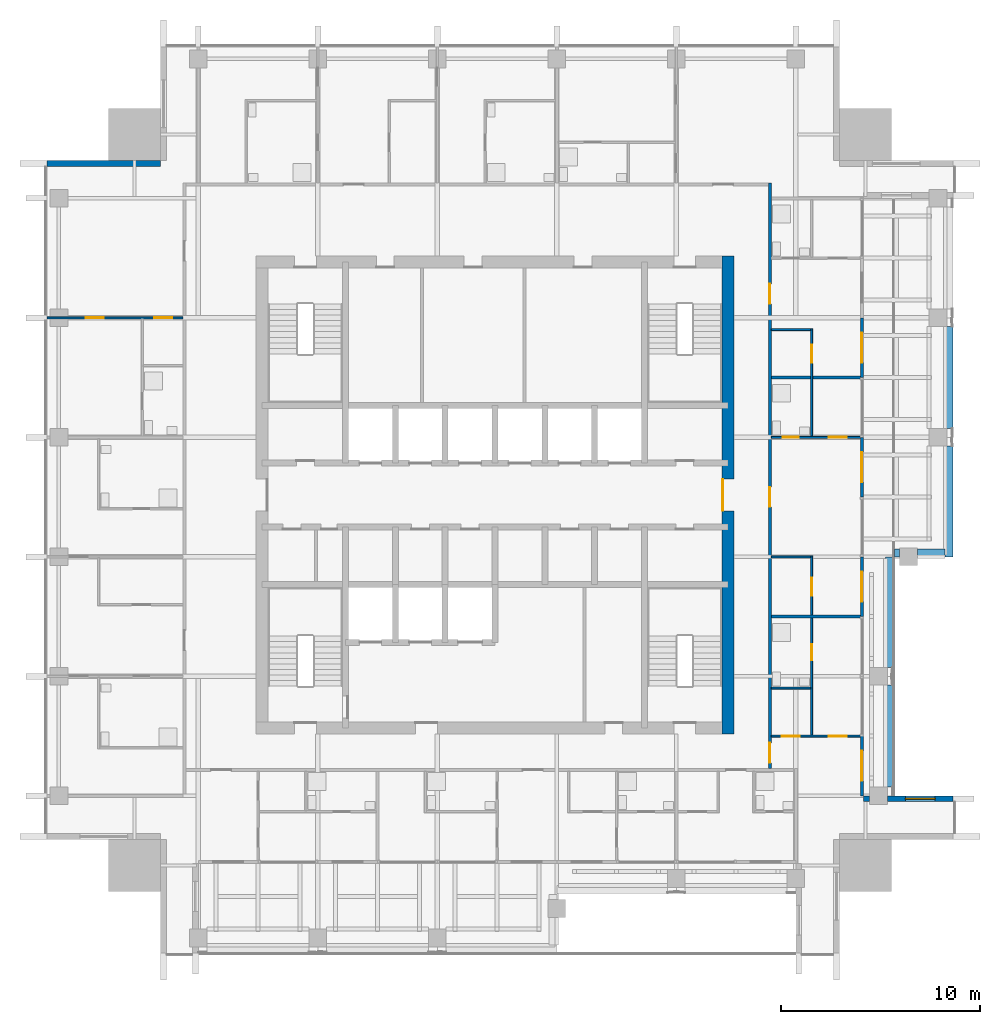
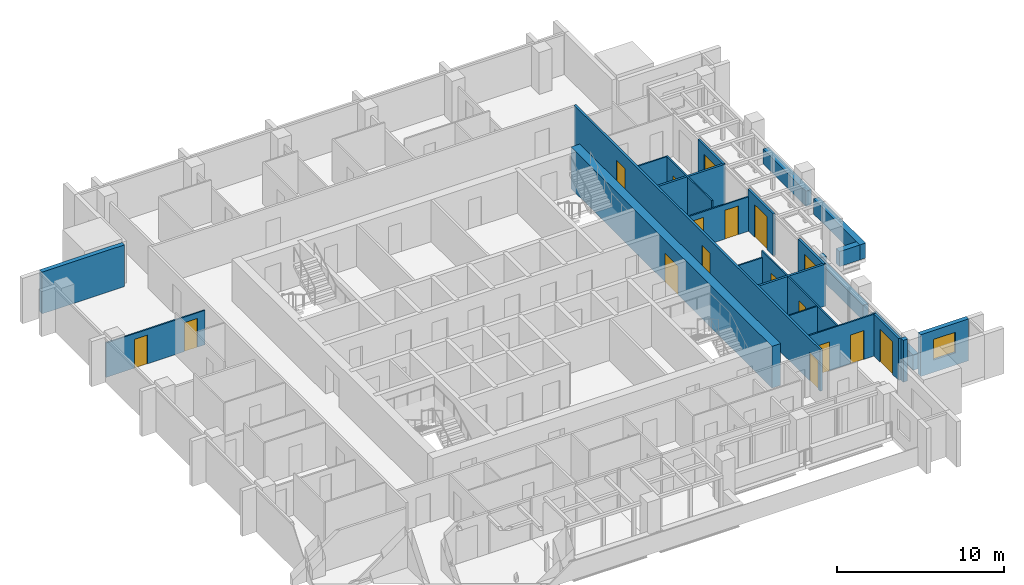
# One storey, part 11 of 17: 25 walls, 17 doors, 1 window, 18 openings.
"""IFC4 building model written with IfcOpenShell, lengths in metres."""

from ifc_helpers import new_model, si_unit, direction, frame, frame_2d, origin, place, context, subcontext, project, spatial, rectangle, extrude, material, layer, layer_set, type_object, element, fill, save


model = new_model("IFC4")

# Units and contexts
model_context = context("Model", 3, precision=1e-05, world=origin(), true_north=direction((0.0, 1.0)))
body_context = subcontext(model_context, "Body", "Model", "MODEL_VIEW")
ifc_project = project(units=[si_unit("LENGTHUNIT", "METRE"), si_unit("AREAUNIT", "SQUARE_METRE"), si_unit("VOLUMEUNIT", "CUBIC_METRE"), si_unit("PLANEANGLEUNIT", "RADIAN"), si_unit("MASSUNIT", "GRAM", prefix="KILO")], contexts=[model_context])

# Site, building, storey
site_placement = place(None, origin())
site = spatial("IfcSite", under=ifc_project, at=site_placement, CompositionType="ELEMENT")
building_placement = place(site_placement, origin())
building = spatial("IfcBuilding", under=site, at=building_placement, Name="Amberfall Residences", CompositionType="ELEMENT")
storey_placement = place(building_placement, frame((0.0, 0.0, 216.699951171875)))
storey = spatial("IfcBuildingStorey", under=building, at=storey_placement, Name="L58", CompositionType="ELEMENT", Elevation=216.699951171875)

# Wall, opening, window
ifc_material_1 = material(Name="Pale stone cladding on insulated backing", Category="masonry")
ifc_layer_1 = layer(ifc_material_1, 0.300048828125)
ifc_layer_set_1 = layer_set([ifc_layer_1], Name="Bronze clad wall 300")
wall_type_1 = type_object("IfcWallType", Name="Bronze clad wall 300", PredefinedType="SOLIDWALL", material=ifc_layer_set_1)
wall_1_placement = place(storey_placement, frame((97.5, 30.25, 0.0), z_axis=(0.0, 0.0, 1.0), x_axis=(-1.0, 0.0, 0.0)))
wall_1 = element("IfcWall", 1, at=wall_1_placement, inside=storey, type_object=wall_type_1, Name="External wall L58 E", PredefinedType="SOLIDWALL", context=body_context, shape_type="SweptSolid", body=[
    extrude(rectangle(XDim=3.300048828125, YDim=0.300048828125, at=frame_2d((1.64990234375, 0.0))), origin(), (0.0, 0.0, 1.0), 3.050048828125),
])
opening_1_placement = place(wall_1_placement, frame((0.89990234375, 0.0, 0.89990234375)))
opening_1 = element("IfcOpeningElement", 2, at=opening_1_placement, cuts=wall_1, Name="Opening WN1", PredefinedType="OPENING", context=body_context, shape_type="SweptSolid", body=[
    extrude(rectangle(XDim=1.5, YDim=1.5, at=frame_2d((0.75, 0.75))), frame((0.0, 0.159912109375, 0.0), z_axis=(0.0, -1.0, 0.0), x_axis=(1.0, 0.0, 0.0)), (0.0, 0.0, 1.0), 0.320068359375),
])
ifc_material_2 = material(Name="Bronze aluminium framed glazing", Category="aluminium")
window_type = type_object("IfcWindowType", Name="Window 1500 x 1500 bronze", PartitioningType="DOUBLE_PANEL_VERTICAL", PredefinedType="WINDOW", material=ifc_material_2)
window_placement = place(opening_1_placement, origin())
window = element("IfcWindow", 3, at=window_placement, inside=storey, type_object=window_type, Name="Window L58 E", OverallHeight=1.5, OverallWidth=1.5, PartitioningType="DOUBLE_PANEL_VERTICAL", PredefinedType="WINDOW", context=body_context, shape_type="SweptSolid", body=[
    extrude(rectangle(XDim=1.5, YDim=1.5, at=frame_2d((0.75, 0.75))), frame((0.0, 0.030029296875, 0.0), z_axis=(0.0, -1.0, 0.0), x_axis=(1.0, 0.0, 0.0)), (0.0, 0.0, 1.0), 0.06005859375),
])
fill(opening_1, window)

# Walls
wall_2_placement = place(storey_placement, frame((93.300048828125, 30.25, 0.0), z_axis=(0.0, 0.0, 1.0), x_axis=(-1.0, 0.0, 0.0)))
element("IfcWall", 4, at=wall_2_placement, inside=storey, type_object=wall_type_1, Name="External wall L58 E", PredefinedType="SOLIDWALL", context=body_context, shape_type="SweptSolid", body=[
    extrude(rectangle(XDim=0.300048828125, YDim=0.300048828125, at=frame_2d((0.14990234375, 0.0))), origin(), (0.0, 0.0, 1.0), 3.050048828125),
])
wall_3_placement = place(storey_placement, frame((57.699951171875, 62.14990234375, 0.0), z_axis=(0.0, 0.0, 1.0), x_axis=(-1.0, 0.0, 0.0)))
element("IfcWall", 5, at=wall_3_placement, inside=storey, type_object=wall_type_1, Name="External wall L58 NW", PredefinedType="SOLIDWALL", context=body_context, shape_type="SweptSolid", body=[
    extrude(rectangle(XDim=5.699951171875, YDim=0.300048828125, at=frame_2d((2.85009765625, 0.0))), origin(), (0.0, 0.0, 1.0), 3.050048828125),
])

# Wall, opening, door
ifc_material_3 = material(Name="Concrete C55", Category="concrete")
ifc_layer_2 = layer(ifc_material_3, 0.60009765625)
ifc_layer_set_2 = layer_set([ifc_layer_2], Name="Core wall 600 C55")
wall_type_2 = type_object("IfcWallType", Name="Core wall 600 C55", PredefinedType="SHEAR", material=ifc_layer_set_2)
wall_4_placement = place(storey_placement, frame((86.199951171875, 33.5, 0.0), z_axis=(0.0, 0.0, 1.0), x_axis=(0.0, 1.0, 0.0)))
wall_4 = element("IfcWall", 6, at=wall_4_placement, inside=storey, type_object=wall_type_2, Name="Core wall RW7 L58 OE", PredefinedType="SHEAR", context=body_context, shape_type="SweptSolid", body=[
    extrude(rectangle(XDim=24.0, YDim=0.60009765625, at=frame_2d((12.0, 0.0))), origin(), (0.0, 0.0, 1.0), 3.050048828125),
])
opening_2_placement = place(wall_4_placement, frame((11.199951171875, 0.0, 0.0)))
opening_2 = element("IfcOpeningElement", 7, at=opening_2_placement, cuts=wall_4, Name="Opening LB1", PredefinedType="OPENING", context=body_context, shape_type="SweptSolid", body=[
    extrude(rectangle(XDim=1.60009765625, YDim=2.10009765625, at=frame_2d((0.800048828125, 1.050048828125))), frame((0.0, 0.31005859375, 0.0), z_axis=(0.0, -1.0, 0.0), x_axis=(1.0, 0.0, 0.0)), (0.0, 0.0, 1.0), 0.6201171875),
])
ifc_material_4 = material(Name="Steel fire door set", Category="steel")
door_type_1 = type_object("IfcDoorType", Name="Lift lobby double door 1600 x 2100", OperationType="DOUBLE_DOOR_SINGLE_SWING", PredefinedType="DOOR", material=ifc_material_4)
door_1_placement = place(opening_2_placement, origin())
door_1 = element("IfcDoor", 8, at=door_1_placement, inside=storey, type_object=door_type_1, Name="LB1 L58", OperationType="DOUBLE_DOOR_SINGLE_SWING", OverallHeight=2.10009765625, OverallWidth=1.60009765625, PredefinedType="DOOR", context=body_context, shape_type="SweptSolid", body=[
    extrude(rectangle(XDim=1.60009765625, YDim=2.10009765625, at=frame_2d((0.800048828125, 1.050048828125))), frame((0.0, 0.28759765625, 0.0), z_axis=(0.0, -1.0, 0.0), x_axis=(1.0, 0.0, 0.0)), (0.0, 0.0, 1.0), 0.050048828125),
])
fill(opening_2, door_1)

# Wall, openings, doors
ifc_material_5 = material(Name="Gypsum board on metal stud")
ifc_layer_3 = layer(ifc_material_5, 0.10009765625)
ifc_layer_set_3 = layer_set([ifc_layer_3], Name="Flat partition 100")
wall_type_3 = type_object("IfcWallType", Name="Flat partition 100", PredefinedType="PARTITIONING", material=ifc_layer_set_3)
wall_5_placement = place(storey_placement, frame((90.39990234375, 33.449951171875, 0.0), z_axis=(0.0, 0.0, 1.0), x_axis=(0.0, 1.0, 0.0)))
wall_5 = element("IfcWall", 9, at=wall_5_placement, inside=storey, type_object=wall_type_3, Name="Partition 020", PredefinedType="PARTITIONING", context=body_context, shape_type="SweptSolid", body=[
    extrude(rectangle(XDim=9.0, YDim=0.10009765625, at=frame_2d((4.5, 0.0))), origin(), (0.0, 0.0, 1.0), 3.050048828125),
])
opening_3_placement = place(wall_5_placement, frame((3.75, 0.0, 0.0)))
opening_3 = element("IfcOpeningElement", 10, at=opening_3_placement, cuts=wall_5, Name="Opening D42", PredefinedType="OPENING", context=body_context, shape_type="SweptSolid", body=[
    extrude(rectangle(XDim=0.800048828125, YDim=2.10009765625, at=frame_2d((0.39990234375, 1.050048828125))), frame((0.0, 0.06005859375, 0.0), z_axis=(0.0, -1.0, 0.0), x_axis=(1.0, 0.0, 0.0)), (0.0, 0.0, 1.0), 0.1201171875),
])
opening_4_placement = place(wall_5_placement, frame((7.0, 0.0, 0.0)))
opening_4 = element("IfcOpeningElement", 11, at=opening_4_placement, cuts=wall_5, Name="Opening D41", PredefinedType="OPENING", context=body_context, shape_type="SweptSolid", body=[
    extrude(rectangle(XDim=0.89990234375, YDim=2.10009765625, at=frame_2d((0.449951171875, 1.050048828125))), frame((0.0, 0.06005859375, 0.0), z_axis=(0.0, -1.0, 0.0), x_axis=(1.0, 0.0, 0.0)), (0.0, 0.0, 1.0), 0.1201171875),
])
ifc_material_6 = material(Name="Timber", Category="wood")
door_type_2 = type_object("IfcDoorType", Name="Bathroom door 800 x 2100", OperationType="SINGLE_SWING_LEFT", PredefinedType="DOOR", material=ifc_material_6)
door_2_placement = place(opening_3_placement, origin())
door_2 = element("IfcDoor", 12, at=door_2_placement, inside=storey, type_object=door_type_2, Name="Door 5804 bath1", OperationType="SINGLE_SWING_LEFT", OverallHeight=2.10009765625, OverallWidth=0.800048828125, PredefinedType="DOOR", context=body_context, shape_type="SweptSolid", body=[
    extrude(rectangle(XDim=0.800048828125, YDim=2.10009765625, at=frame_2d((0.39990234375, 1.050048828125))), frame((0.0, 0.02490234375, 0.0), z_axis=(0.0, -1.0, 0.0), x_axis=(1.0, 0.0, 0.0)), (0.0, 0.0, 1.0), 0.050048828125),
])
fill(opening_3, door_2)
door_type_3 = type_object("IfcDoorType", Name="Internal door 900 x 2100", OperationType="SINGLE_SWING_LEFT", PredefinedType="DOOR", material=ifc_material_6)
door_3_placement = place(opening_4_placement, origin())
door_3 = element("IfcDoor", 13, at=door_3_placement, inside=storey, type_object=door_type_3, Name="Door 5805 kitchen", OperationType="SINGLE_SWING_LEFT", OverallHeight=2.10009765625, OverallWidth=0.89990234375, PredefinedType="DOOR", context=body_context, shape_type="SweptSolid", body=[
    extrude(rectangle(XDim=0.89990234375, YDim=2.10009765625, at=frame_2d((0.449951171875, 1.050048828125))), frame((0.0, 0.02490234375, 0.0), z_axis=(0.0, -1.0, 0.0), x_axis=(1.0, 0.0, 0.0)), (0.0, 0.0, 1.0), 0.050048828125),
])
fill(opening_4, door_3)

# Wall, opening, door
wall_6_placement = place(storey_placement, frame((90.39990234375, 48.449951171875, 0.0), z_axis=(0.0, 0.0, 1.0), x_axis=(0.0, 1.0, 0.0)))
wall_6 = element("IfcWall", 14, at=wall_6_placement, inside=storey, type_object=wall_type_3, Name="Partition 021", PredefinedType="PARTITIONING", context=body_context, shape_type="SweptSolid", body=[
    extrude(rectangle(XDim=5.400146484375, YDim=0.10009765625, at=frame_2d((2.7001953125, 0.0))), origin(), (0.0, 0.0, 1.0), 3.050048828125),
])
opening_5_placement = place(wall_6_placement, frame((3.699951171875, 0.0, 0.0)))
opening_5 = element("IfcOpeningElement", 15, at=opening_5_placement, cuts=wall_6, Name="Opening D41", PredefinedType="OPENING", context=body_context, shape_type="SweptSolid", body=[
    extrude(rectangle(XDim=0.89990234375, YDim=2.10009765625, at=frame_2d((0.449951171875, 1.050048828125))), frame((0.0, 0.06005859375, 0.0), z_axis=(0.0, -1.0, 0.0), x_axis=(1.0, 0.0, 0.0)), (0.0, 0.0, 1.0), 0.1201171875),
])
door_4_placement = place(opening_5_placement, origin())
door_4 = element("IfcDoor", 16, at=door_4_placement, inside=storey, type_object=door_type_3, Name="Door 5806 kitchen", OperationType="SINGLE_SWING_LEFT", OverallHeight=2.10009765625, OverallWidth=0.89990234375, PredefinedType="DOOR", context=body_context, shape_type="SweptSolid", body=[
    extrude(rectangle(XDim=0.89990234375, YDim=2.10009765625, at=frame_2d((0.449951171875, 1.050048828125))), frame((0.0, 0.02490234375, 0.0), z_axis=(0.0, -1.0, 0.0), x_axis=(1.0, 0.0, 0.0)), (0.0, 0.0, 1.0), 0.050048828125),
])
fill(opening_5, door_4)

# Wall, openings, doors
wall_7_placement = place(storey_placement, frame((58.824951171875, 54.39990234375, 0.0), z_axis=(0.0, 0.0, 1.0), x_axis=(-1.0, 0.0, 0.0)))
wall_7 = element("IfcWall", 17, at=wall_7_placement, inside=storey, type_object=wall_type_3, Name="Partition 028", PredefinedType="PARTITIONING", context=body_context, shape_type="SweptSolid", body=[
    extrude(rectangle(XDim=6.824951171875, YDim=0.10009765625, at=frame_2d((3.41259765625, 0.0))), origin(), (0.0, 0.0, 1.0), 2.51611328125),
])
opening_6_placement = place(wall_7_placement, frame((0.52490234375, 0.0, 0.0)))
opening_6 = element("IfcOpeningElement", 18, at=opening_6_placement, cuts=wall_7, Name="Opening D41", PredefinedType="OPENING", context=body_context, shape_type="SweptSolid", body=[
    extrude(rectangle(XDim=0.89990234375, YDim=2.10009765625, at=frame_2d((0.449951171875, 1.050048828125))), frame((0.0, 0.06005859375, 0.0), z_axis=(0.0, -1.0, 0.0), x_axis=(1.0, 0.0, 0.0)), (0.0, 0.0, 1.0), 0.1201171875),
])
opening_7_placement = place(wall_7_placement, frame((3.97509765625, 0.0, 0.0)))
opening_7 = element("IfcOpeningElement", 19, at=opening_7_placement, cuts=wall_7, Name="Opening D41", PredefinedType="OPENING", context=body_context, shape_type="SweptSolid", body=[
    extrude(rectangle(XDim=0.89990234375, YDim=2.10009765625, at=frame_2d((0.449951171875, 1.050048828125))), frame((0.0, 0.06005859375, 0.0), z_axis=(0.0, -1.0, 0.0), x_axis=(1.0, 0.0, 0.0)), (0.0, 0.0, 1.0), 0.1201171875),
])
door_5_placement = place(opening_6_placement, origin())
door_5 = element("IfcDoor", 20, at=door_5_placement, inside=storey, type_object=door_type_3, Name="Door 5810 kitchen", OperationType="SINGLE_SWING_LEFT", OverallHeight=2.10009765625, OverallWidth=0.89990234375, PredefinedType="DOOR", context=body_context, shape_type="SweptSolid", body=[
    extrude(rectangle(XDim=0.89990234375, YDim=2.10009765625, at=frame_2d((0.449951171875, 1.050048828125))), frame((0.0, 0.02490234375, 0.0), z_axis=(0.0, -1.0, 0.0), x_axis=(1.0, 0.0, 0.0)), (0.0, 0.0, 1.0), 0.050048828125),
])
fill(opening_6, door_5)
door_6_placement = place(opening_7_placement, origin())
door_6 = element("IfcDoor", 21, at=door_6_placement, inside=storey, type_object=door_type_3, Name="Door 5810 bedroom1", OperationType="SINGLE_SWING_LEFT", OverallHeight=2.10009765625, OverallWidth=0.89990234375, PredefinedType="DOOR", context=body_context, shape_type="SweptSolid", body=[
    extrude(rectangle(XDim=0.89990234375, YDim=2.10009765625, at=frame_2d((0.449951171875, 1.050048828125))), frame((0.0, 0.02490234375, 0.0), z_axis=(0.0, -1.0, 0.0), x_axis=(1.0, 0.0, 0.0)), (0.0, 0.0, 1.0), 0.050048828125),
])
fill(opening_7, door_6)

# Wall
wall_8_placement = place(storey_placement, frame((88.375, 53.800048828125, 0.0), z_axis=(0.0, 0.0, 1.0), x_axis=(1.0, 0.0, 0.0)))
element("IfcWall", 22, at=wall_8_placement, inside=storey, type_object=wall_type_3, Name="Partition 029", PredefinedType="PARTITIONING", context=body_context, shape_type="SweptSolid", body=[
    extrude(rectangle(XDim=1.97509765625, YDim=0.10009765625, at=frame_2d((0.987548828125, 0.0))), origin(), (0.0, 0.0, 1.0), 3.050048828125),
])

# Wall, openings, doors
wall_9_placement = place(storey_placement, frame((88.375, 48.39990234375, 0.0), z_axis=(0.0, 0.0, 1.0), x_axis=(1.0, 0.0, 0.0)))
wall_9 = element("IfcWall", 23, at=wall_9_placement, inside=storey, type_object=wall_type_3, Name="Partition 031", PredefinedType="PARTITIONING", context=body_context, shape_type="SweptSolid", body=[
    extrude(rectangle(XDim=4.625, YDim=0.10009765625, at=frame_2d((2.3125, 0.0))), origin(), (0.0, 0.0, 1.0), 2.51611328125),
])
opening_8_placement = place(wall_9_placement, frame((2.875, 0.0, 0.0)))
opening_8 = element("IfcOpeningElement", 24, at=opening_8_placement, cuts=wall_9, Name="Opening D41", PredefinedType="OPENING", context=body_context, shape_type="SweptSolid", body=[
    extrude(rectangle(XDim=0.89990234375, YDim=2.10009765625, at=frame_2d((0.449951171875, 1.050048828125))), frame((0.0, 0.06005859375, 0.0), z_axis=(0.0, -1.0, 0.0), x_axis=(1.0, 0.0, 0.0)), (0.0, 0.0, 1.0), 0.1201171875),
])
opening_9_placement = place(wall_9_placement, frame((0.574951171875, 0.0, 0.0)))
opening_9 = element("IfcOpeningElement", 25, at=opening_9_placement, cuts=wall_9, Name="Opening D42", PredefinedType="OPENING", context=body_context, shape_type="SweptSolid", body=[
    extrude(rectangle(XDim=0.800048828125, YDim=2.10009765625, at=frame_2d((0.39990234375, 1.050048828125))), frame((0.0, 0.06005859375, 0.0), z_axis=(0.0, -1.0, 0.0), x_axis=(1.0, 0.0, 0.0)), (0.0, 0.0, 1.0), 0.1201171875),
])
door_7_placement = place(opening_9_placement, origin())
door_7 = element("IfcDoor", 26, at=door_7_placement, inside=storey, type_object=door_type_2, Name="Door 5805 bath1", OperationType="SINGLE_SWING_LEFT", OverallHeight=2.10009765625, OverallWidth=0.800048828125, PredefinedType="DOOR", context=body_context, shape_type="SweptSolid", body=[
    extrude(rectangle(XDim=0.800048828125, YDim=2.10009765625, at=frame_2d((0.39990234375, 1.050048828125))), frame((0.0, 0.02490234375, 0.0), z_axis=(0.0, -1.0, 0.0), x_axis=(1.0, 0.0, 0.0)), (0.0, 0.0, 1.0), 0.050048828125),
])
fill(opening_9, door_7)
door_8_placement = place(opening_8_placement, origin())
door_8 = element("IfcDoor", 27, at=door_8_placement, inside=storey, type_object=door_type_3, Name="Door 5805 bedroom1", OperationType="SINGLE_SWING_LEFT", OverallHeight=2.10009765625, OverallWidth=0.89990234375, PredefinedType="DOOR", context=body_context, shape_type="SweptSolid", body=[
    extrude(rectangle(XDim=0.89990234375, YDim=2.10009765625, at=frame_2d((0.449951171875, 1.050048828125))), frame((0.0, 0.02490234375, 0.0), z_axis=(0.0, -1.0, 0.0), x_axis=(1.0, 0.0, 0.0)), (0.0, 0.0, 1.0), 0.050048828125),
])
fill(opening_8, door_8)

# Walls
wall_10_placement = place(storey_placement, frame((88.375, 42.39990234375, 0.0), z_axis=(0.0, 0.0, 1.0), x_axis=(1.0, 0.0, 0.0)))
element("IfcWall", 28, at=wall_10_placement, inside=storey, type_object=wall_type_3, Name="Partition 034", PredefinedType="PARTITIONING", context=body_context, shape_type="SweptSolid", body=[
    extrude(rectangle(XDim=1.97509765625, YDim=0.10009765625, at=frame_2d((0.987548828125, 0.0))), origin(), (0.0, 0.0, 1.0), 2.590087890625),
])
wall_11_placement = place(storey_placement, frame((88.375, 35.800048828125, 0.0), z_axis=(0.0, 0.0, 1.0), x_axis=(1.0, 0.0, 0.0)))
element("IfcWall", 29, at=wall_11_placement, inside=storey, type_object=wall_type_3, Name="Partition 037", PredefinedType="PARTITIONING", context=body_context, shape_type="SweptSolid", body=[
    extrude(rectangle(XDim=1.97509765625, YDim=0.10009765625, at=frame_2d((0.987548828125, 0.0))), origin(), (0.0, 0.0, 1.0), 3.050048828125),
])

# Wall, openings, doors
wall_12_placement = place(storey_placement, frame((88.375, 33.39990234375, 0.0), z_axis=(0.0, 0.0, 1.0), x_axis=(1.0, 0.0, 0.0)))
wall_12 = element("IfcWall", 30, at=wall_12_placement, inside=storey, type_object=wall_type_3, Name="Partition 038", PredefinedType="PARTITIONING", context=body_context, shape_type="SweptSolid", body=[
    extrude(rectangle(XDim=4.625, YDim=0.10009765625, at=frame_2d((2.3125, 0.0))), origin(), (0.0, 0.0, 1.0), 3.050048828125),
])
opening_10_placement = place(wall_12_placement, frame((0.52490234375, 0.0, 0.0)))
opening_10 = element("IfcOpeningElement", 31, at=opening_10_placement, cuts=wall_12, Name="Opening D41", PredefinedType="OPENING", context=body_context, shape_type="SweptSolid", body=[
    extrude(rectangle(XDim=0.89990234375, YDim=2.10009765625, at=frame_2d((0.449951171875, 1.050048828125))), frame((0.0, 0.06005859375, 0.0), z_axis=(0.0, -1.0, 0.0), x_axis=(1.0, 0.0, 0.0)), (0.0, 0.0, 1.0), 0.1201171875),
])
opening_11_placement = place(wall_12_placement, frame((2.875, 0.0, 0.0)))
opening_11 = element("IfcOpeningElement", 32, at=opening_11_placement, cuts=wall_12, Name="Opening D41", PredefinedType="OPENING", context=body_context, shape_type="SweptSolid", body=[
    extrude(rectangle(XDim=0.89990234375, YDim=2.10009765625, at=frame_2d((0.449951171875, 1.050048828125))), frame((0.0, 0.06005859375, 0.0), z_axis=(0.0, -1.0, 0.0), x_axis=(1.0, 0.0, 0.0)), (0.0, 0.0, 1.0), 0.1201171875),
])
door_9_placement = place(opening_10_placement, origin())
door_9 = element("IfcDoor", 33, at=door_9_placement, inside=storey, type_object=door_type_3, Name="Door 5804 kitchen", OperationType="SINGLE_SWING_LEFT", OverallHeight=2.10009765625, OverallWidth=0.89990234375, PredefinedType="DOOR", context=body_context, shape_type="SweptSolid", body=[
    extrude(rectangle(XDim=0.89990234375, YDim=2.10009765625, at=frame_2d((0.449951171875, 1.050048828125))), frame((0.0, 0.02490234375, 0.0), z_axis=(0.0, -1.0, 0.0), x_axis=(1.0, 0.0, 0.0)), (0.0, 0.0, 1.0), 0.050048828125),
])
fill(opening_10, door_9)
door_10_placement = place(opening_11_placement, origin())
door_10 = element("IfcDoor", 34, at=door_10_placement, inside=storey, type_object=door_type_3, Name="Door 5804 bedroom1", OperationType="SINGLE_SWING_LEFT", OverallHeight=2.10009765625, OverallWidth=0.89990234375, PredefinedType="DOOR", context=body_context, shape_type="SweptSolid", body=[
    extrude(rectangle(XDim=0.89990234375, YDim=2.10009765625, at=frame_2d((0.449951171875, 1.050048828125))), frame((0.0, 0.02490234375, 0.0), z_axis=(0.0, -1.0, 0.0), x_axis=(1.0, 0.0, 0.0)), (0.0, 0.0, 1.0), 0.050048828125),
])
fill(opening_11, door_10)

ifc_material_7 = material(Name="Blockwork, plastered", Category="masonry")
ifc_layer_4 = layer(ifc_material_7, 0.14990234375)
ifc_layer_set_4 = layer_set([ifc_layer_4], Name="Flat separating wall 150")
wall_type_4 = type_object("IfcWallType", Name="Flat separating wall 150", PredefinedType="PARTITIONING", material=ifc_layer_set_4)
wall_13_placement = place(storey_placement, frame((88.300048828125, 61.175048828125, 0.0), z_axis=(0.0, 0.0, 1.0), x_axis=(0.0, -1.0, 0.0)))
wall_13 = element("IfcWall", 35, at=wall_13_placement, inside=storey, type_object=wall_type_4, Name="Separating wall 049", PredefinedType="PARTITIONING", context=body_context, shape_type="SweptSolid", body=[
    extrude(rectangle(XDim=29.400146484375, YDim=0.14990234375, at=frame_2d((14.7001953125, 0.0))), origin(), (0.0, 0.0, 1.0), 3.050048828125),
])
opening_12_placement = place(wall_13_placement, frame((28.125, 0.0, 0.0)))
opening_12 = element("IfcOpeningElement", 36, at=opening_12_placement, cuts=wall_13, Name="Opening D40", PredefinedType="OPENING", context=body_context, shape_type="SweptSolid", body=[
    extrude(rectangle(XDim=1.0, YDim=2.10009765625, at=frame_2d((0.5, 1.050048828125))), frame((0.0, 0.0849609375, 0.0), z_axis=(0.0, -1.0, 0.0), x_axis=(1.0, 0.0, 0.0)), (0.0, 0.0, 1.0), 0.169921875),
])
opening_13_placement = place(wall_13_placement, frame((15.27490234375, 0.0, 0.0)))
opening_13 = element("IfcOpeningElement", 37, at=opening_13_placement, cuts=wall_13, Name="Opening D40", PredefinedType="OPENING", context=body_context, shape_type="SweptSolid", body=[
    extrude(rectangle(XDim=1.0, YDim=2.10009765625, at=frame_2d((0.5, 1.050048828125))), frame((0.0, 0.0849609375, 0.0), z_axis=(0.0, -1.0, 0.0), x_axis=(1.0, 0.0, 0.0)), (0.0, 0.0, 1.0), 0.169921875),
])
opening_14_placement = place(wall_13_placement, frame((5.074951171875, 0.0, 0.0)))
opening_14 = element("IfcOpeningElement", 38, at=opening_14_placement, cuts=wall_13, Name="Opening D40", PredefinedType="OPENING", context=body_context, shape_type="SweptSolid", body=[
    extrude(rectangle(XDim=1.0, YDim=2.10009765625, at=frame_2d((0.5, 1.050048828125))), frame((0.0, 0.0849609375, 0.0), z_axis=(0.0, -1.0, 0.0), x_axis=(1.0, 0.0, 0.0)), (0.0, 0.0, 1.0), 0.169921875),
])
ifc_material_8 = material(Name="Timber, fire-rated", Category="wood")
door_type_4 = type_object("IfcDoorType", Name="Flat entrance door FD60 1000 x 2100", OperationType="SINGLE_SWING_LEFT", PredefinedType="DOOR", material=ifc_material_8)
door_11_placement = place(opening_12_placement, origin())
door_11 = element("IfcDoor", 39, at=door_11_placement, inside=storey, type_object=door_type_4, Name="Door 5804 entrance", OperationType="SINGLE_SWING_LEFT", OverallHeight=2.10009765625, OverallWidth=1.0, PredefinedType="DOOR", context=body_context, shape_type="SweptSolid", body=[
    extrude(rectangle(XDim=1.0, YDim=2.10009765625, at=frame_2d((0.5, 1.050048828125))), frame((0.0, 0.02490234375, 0.0), z_axis=(0.0, -1.0, 0.0), x_axis=(1.0, 0.0, 0.0)), (0.0, 0.0, 1.0), 0.050048828125),
])
fill(opening_12, door_11)
door_12_placement = place(opening_13_placement, origin())
door_12 = element("IfcDoor", 40, at=door_12_placement, inside=storey, type_object=door_type_4, Name="Door 5805 entrance", OperationType="SINGLE_SWING_LEFT", OverallHeight=2.10009765625, OverallWidth=1.0, PredefinedType="DOOR", context=body_context, shape_type="SweptSolid", body=[
    extrude(rectangle(XDim=1.0, YDim=2.10009765625, at=frame_2d((0.5, 1.050048828125))), frame((0.0, 0.02490234375, 0.0), z_axis=(0.0, -1.0, 0.0), x_axis=(1.0, 0.0, 0.0)), (0.0, 0.0, 1.0), 0.050048828125),
])
fill(opening_13, door_12)
door_13_placement = place(opening_14_placement, origin())
door_13 = element("IfcDoor", 41, at=door_13_placement, inside=storey, type_object=door_type_4, Name="Door 5806 entrance", OperationType="SINGLE_SWING_LEFT", OverallHeight=2.10009765625, OverallWidth=1.0, PredefinedType="DOOR", context=body_context, shape_type="SweptSolid", body=[
    extrude(rectangle(XDim=1.0, YDim=2.10009765625, at=frame_2d((0.5, 1.050048828125))), frame((0.0, 0.02490234375, 0.0), z_axis=(0.0, -1.0, 0.0), x_axis=(1.0, 0.0, 0.0)), (0.0, 0.0, 1.0), 0.050048828125),
])
fill(opening_14, door_13)

# Walls
for number, where, z_axis, x_axis, name in (
    (42, (88.375, 51.39990234375, 0.0), (0.0, 0.0, 1.0), (1.0, 0.0, 0.0), "Separating wall 053"),
    (43, (88.375, 39.39990234375, 0.0), (0.0, 0.0, 1.0), (1.0, 0.0, 0.0), "Separating wall 055"),
):
    element("IfcWall", number, at=place(storey_placement, frame(where, z_axis=z_axis, x_axis=x_axis)), inside=storey, type_object=wall_type_4, Name=name, PredefinedType="PARTITIONING", context=body_context, shape_type="SweptSolid", body=[
        extrude(rectangle(XDim=4.625, YDim=0.14990234375, at=frame_2d((2.3125, 0.0))), origin(), (0.0, 0.0, 1.0), 3.050048828125),
    ])

# Wall, opening, door
ifc_layer_5 = layer(ifc_material_1, 0.14990234375)
ifc_layer_set_5 = layer_set([ifc_layer_5], Name="Terrace door infill wall 150")
wall_type_5 = type_object("IfcWallType", Name="Terrace door infill wall 150", PredefinedType="SOLIDWALL", material=ifc_layer_set_5)
wall_14_placement = place(storey_placement, frame((92.925048828125, 30.39990234375, 0.0), z_axis=(0.0, 0.0, 1.0), x_axis=(0.0, 1.0, 0.0)))
wall_14 = element("IfcWall", 44, at=wall_14_placement, inside=storey, type_object=wall_type_5, Name="Terrace door wall L58 E1", PredefinedType="SOLIDWALL", context=body_context, shape_type="SweptSolid", body=[
    extrude(rectangle(XDim=3.0, YDim=0.14990234375, at=frame_2d((1.5, 0.0))), origin(), (0.0, 0.0, 1.0), 3.050048828125),
])
opening_15_placement = place(wall_14_placement, frame((0.75, 0.0, 0.0)))
opening_15 = element("IfcOpeningElement", 45, at=opening_15_placement, cuts=wall_14, Name="Opening TD2", PredefinedType="OPENING", context=body_context, shape_type="SweptSolid", body=[
    extrude(rectangle(XDim=1.5, YDim=2.39990234375, at=frame_2d((0.75, 1.199951171875))), frame((0.0, 0.0849609375, 0.0), z_axis=(0.0, -1.0, 0.0), x_axis=(1.0, 0.0, 0.0)), (0.0, 0.0, 1.0), 0.169921875),
])
ifc_material_9 = material(Name="Bronze aluminium framed glazed door", Category="aluminium")
door_type_5 = type_object("IfcDoorType", Name="Terrace sliding door 1500 x 2400", OperationType="DOUBLE_DOOR_SLIDING", PredefinedType="DOOR", material=ifc_material_9)
door_14_placement = place(opening_15_placement, origin())
door_14 = element("IfcDoor", 46, at=door_14_placement, inside=storey, type_object=door_type_5, Name="Terrace door TD2", OperationType="DOUBLE_DOOR_SLIDING", OverallHeight=2.39990234375, OverallWidth=1.5, PredefinedType="DOOR", context=body_context, shape_type="SweptSolid", body=[
    extrude(rectangle(XDim=1.5, YDim=2.39990234375, at=frame_2d((0.75, 1.199951171875))), frame((0.0, 0.02490234375, 0.0), z_axis=(0.0, -1.0, 0.0), x_axis=(1.0, 0.0, 0.0)), (0.0, 0.0, 1.0), 0.050048828125),
])
fill(opening_15, door_14)

wall_15_placement = place(storey_placement, frame((92.925048828125, 39.39990234375, 0.0), z_axis=(0.0, 0.0, 1.0), x_axis=(0.0, 1.0, 0.0)))
wall_15 = element("IfcWall", 47, at=wall_15_placement, inside=storey, type_object=wall_type_5, Name="Terrace door wall L58 E2", PredefinedType="SOLIDWALL", context=body_context, shape_type="SweptSolid", body=[
    extrude(rectangle(XDim=3.0, YDim=0.14990234375, at=frame_2d((1.5, 0.0))), origin(), (0.0, 0.0, 1.0), 3.050048828125),
])
opening_16_placement = place(wall_15_placement, frame((0.75, 0.0, 0.0)))
opening_16 = element("IfcOpeningElement", 48, at=opening_16_placement, cuts=wall_15, Name="Opening TD2", PredefinedType="OPENING", context=body_context, shape_type="SweptSolid", body=[
    extrude(rectangle(XDim=1.5, YDim=2.39990234375, at=frame_2d((0.75, 1.199951171875))), frame((0.0, 0.0849609375, 0.0), z_axis=(0.0, -1.0, 0.0), x_axis=(1.0, 0.0, 0.0)), (0.0, 0.0, 1.0), 0.169921875),
])
door_15_placement = place(opening_16_placement, origin())
door_15 = element("IfcDoor", 49, at=door_15_placement, inside=storey, type_object=door_type_5, Name="Terrace door TD2", OperationType="DOUBLE_DOOR_SLIDING", OverallHeight=2.39990234375, OverallWidth=1.5, PredefinedType="DOOR", context=body_context, shape_type="SweptSolid", body=[
    extrude(rectangle(XDim=1.5, YDim=2.39990234375, at=frame_2d((0.75, 1.199951171875))), frame((0.0, 0.02490234375, 0.0), z_axis=(0.0, -1.0, 0.0), x_axis=(1.0, 0.0, 0.0)), (0.0, 0.0, 1.0), 0.050048828125),
])
fill(opening_16, door_15)

wall_16_placement = place(storey_placement, frame((92.925048828125, 45.39990234375, 0.0), z_axis=(0.0, 0.0, 1.0), x_axis=(0.0, 1.0, 0.0)))
wall_16 = element("IfcWall", 50, at=wall_16_placement, inside=storey, type_object=wall_type_5, Name="Terrace door wall L58 E3", PredefinedType="SOLIDWALL", context=body_context, shape_type="SweptSolid", body=[
    extrude(rectangle(XDim=3.0, YDim=0.14990234375, at=frame_2d((1.5, 0.0))), origin(), (0.0, 0.0, 1.0), 3.050048828125),
])
opening_17_placement = place(wall_16_placement, frame((0.75, 0.0, 0.0)))
opening_17 = element("IfcOpeningElement", 51, at=opening_17_placement, cuts=wall_16, Name="Opening TD2", PredefinedType="OPENING", context=body_context, shape_type="SweptSolid", body=[
    extrude(rectangle(XDim=1.5, YDim=2.39990234375, at=frame_2d((0.75, 1.199951171875))), frame((0.0, 0.0849609375, 0.0), z_axis=(0.0, -1.0, 0.0), x_axis=(1.0, 0.0, 0.0)), (0.0, 0.0, 1.0), 0.169921875),
])
door_16_placement = place(opening_17_placement, origin())
door_16 = element("IfcDoor", 52, at=door_16_placement, inside=storey, type_object=door_type_5, Name="Terrace door TD2", OperationType="DOUBLE_DOOR_SLIDING", OverallHeight=2.39990234375, OverallWidth=1.5, PredefinedType="DOOR", context=body_context, shape_type="SweptSolid", body=[
    extrude(rectangle(XDim=1.5, YDim=2.39990234375, at=frame_2d((0.75, 1.199951171875))), frame((0.0, 0.02490234375, 0.0), z_axis=(0.0, -1.0, 0.0), x_axis=(1.0, 0.0, 0.0)), (0.0, 0.0, 1.0), 0.050048828125),
])
fill(opening_17, door_16)

wall_17_placement = place(storey_placement, frame((92.925048828125, 51.39990234375, 0.0), z_axis=(0.0, 0.0, 1.0), x_axis=(0.0, 1.0, 0.0)))
wall_17 = element("IfcWall", 53, at=wall_17_placement, inside=storey, type_object=wall_type_5, Name="Terrace door wall L58 E4", PredefinedType="SOLIDWALL", context=body_context, shape_type="SweptSolid", body=[
    extrude(rectangle(XDim=3.0, YDim=0.14990234375, at=frame_2d((1.5, 0.0))), origin(), (0.0, 0.0, 1.0), 3.050048828125),
])
opening_18_placement = place(wall_17_placement, frame((0.75, 0.0, 0.0)))
opening_18 = element("IfcOpeningElement", 54, at=opening_18_placement, cuts=wall_17, Name="Opening TD2", PredefinedType="OPENING", context=body_context, shape_type="SweptSolid", body=[
    extrude(rectangle(XDim=1.5, YDim=2.39990234375, at=frame_2d((0.75, 1.199951171875))), frame((0.0, 0.0849609375, 0.0), z_axis=(0.0, -1.0, 0.0), x_axis=(1.0, 0.0, 0.0)), (0.0, 0.0, 1.0), 0.169921875),
])
door_17_placement = place(opening_18_placement, origin())
door_17 = element("IfcDoor", 55, at=door_17_placement, inside=storey, type_object=door_type_5, Name="Terrace door TD2", OperationType="DOUBLE_DOOR_SLIDING", OverallHeight=2.39990234375, OverallWidth=1.5, PredefinedType="DOOR", context=body_context, shape_type="SweptSolid", body=[
    extrude(rectangle(XDim=1.5, YDim=2.39990234375, at=frame_2d((0.75, 1.199951171875))), frame((0.0, 0.02490234375, 0.0), z_axis=(0.0, -1.0, 0.0), x_axis=(1.0, 0.0, 0.0)), (0.0, 0.0, 1.0), 0.050048828125),
])
fill(opening_18, door_17)

# Walls
ifc_material_10 = material(Name="Pale stone faced Concrete C40", Category="masonry")
ifc_layer_6 = layer(ifc_material_10, 0.39990234375)
ifc_layer_set_6 = layer_set([ifc_layer_6], Name="Terrace parapet wall 400")
wall_type_6 = type_object("IfcWallType", Name="Terrace parapet wall 400", PredefinedType="PARAPET", material=ifc_layer_set_6)
wall_18_placement = place(storey_placement, frame((94.300048828125, 30.85009765625, 0.030029296875), z_axis=(0.0, 0.0, 1.0), x_axis=(0.0, 1.0, 0.0)))
element("IfcWall", 56, at=wall_18_placement, inside=storey, type_object=wall_type_6, Name="Terrace parapet L58 E1", PredefinedType="PARAPET", context=body_context, shape_type="SweptSolid", body=[
    extrude(rectangle(XDim=5.099853515625, YDim=0.39990234375, at=frame_2d((2.5498046875, 0.0))), origin(), (0.0, 0.0, 1.0), 1.10009765625),
])
wall_19_placement = place(storey_placement, frame((94.300048828125, 36.85009765625, 0.030029296875), z_axis=(0.0, 0.0, 1.0), x_axis=(0.0, 1.0, 0.0)))
element("IfcWall", 57, at=wall_19_placement, inside=storey, type_object=wall_type_6, Name="Terrace parapet L58 E2", PredefinedType="PARAPET", context=body_context, shape_type="SweptSolid", body=[
    extrude(rectangle(XDim=5.5498046875, YDim=0.39990234375, at=frame_2d((2.77490234375, 0.0))), origin(), (0.0, 0.0, 1.0), 1.10009765625),
])
wall_20_placement = place(storey_placement, frame((97.300048828125, 42.39990234375, 0.030029296875), z_axis=(0.0, 0.0, 1.0), x_axis=(0.0, 1.0, 0.0)))
element("IfcWall", 58, at=wall_20_placement, inside=storey, type_object=wall_type_6, Name="Terrace parapet L58 E3", PredefinedType="PARAPET", context=body_context, shape_type="SweptSolid", body=[
    extrude(rectangle(XDim=5.550048828125, YDim=0.39990234375, at=frame_2d((2.77490234375, 0.0))), origin(), (0.0, 0.0, 1.0), 1.10009765625),
])
wall_21_placement = place(storey_placement, frame((94.550048828125, 42.60009765625, 0.030029296875), z_axis=(0.0, 0.0, 1.0), x_axis=(1.0, 0.0, 0.0)))
element("IfcWall", 59, at=wall_21_placement, inside=storey, type_object=wall_type_6, Name="Terrace parapet L58 E3 return", PredefinedType="PARAPET", context=body_context, shape_type="SweptSolid", body=[
    extrude(rectangle(XDim=0.25, YDim=0.39990234375, at=frame_2d((0.125, 0.0))), origin(), (0.0, 0.0, 1.0), 1.10009765625),
])
wall_22_placement = place(storey_placement, frame((95.699951171875, 42.60009765625, 0.030029296875), z_axis=(0.0, 0.0, 1.0), x_axis=(1.0, 0.0, 0.0)))
element("IfcWall", 60, at=wall_22_placement, inside=storey, type_object=wall_type_6, Name="Terrace parapet L58 E3 return", PredefinedType="PARAPET", context=body_context, shape_type="SweptSolid", body=[
    extrude(rectangle(XDim=1.400146484375, YDim=0.39990234375, at=frame_2d((0.7001953125, 0.0))), origin(), (0.0, 0.0, 1.0), 1.10009765625),
])
wall_23_placement = place(storey_placement, frame((97.300048828125, 48.85009765625, 0.030029296875), z_axis=(0.0, 0.0, 1.0), x_axis=(0.0, 1.0, 0.0)))
element("IfcWall", 61, at=wall_23_placement, inside=storey, type_object=wall_type_6, Name="Terrace parapet L58 E4", PredefinedType="PARAPET", context=body_context, shape_type="SweptSolid", body=[
    extrude(rectangle(XDim=5.099853515625, YDim=0.39990234375, at=frame_2d((2.5498046875, 0.0))), origin(), (0.0, 0.0, 1.0), 1.10009765625),
])

save(model, "model.ifc")
